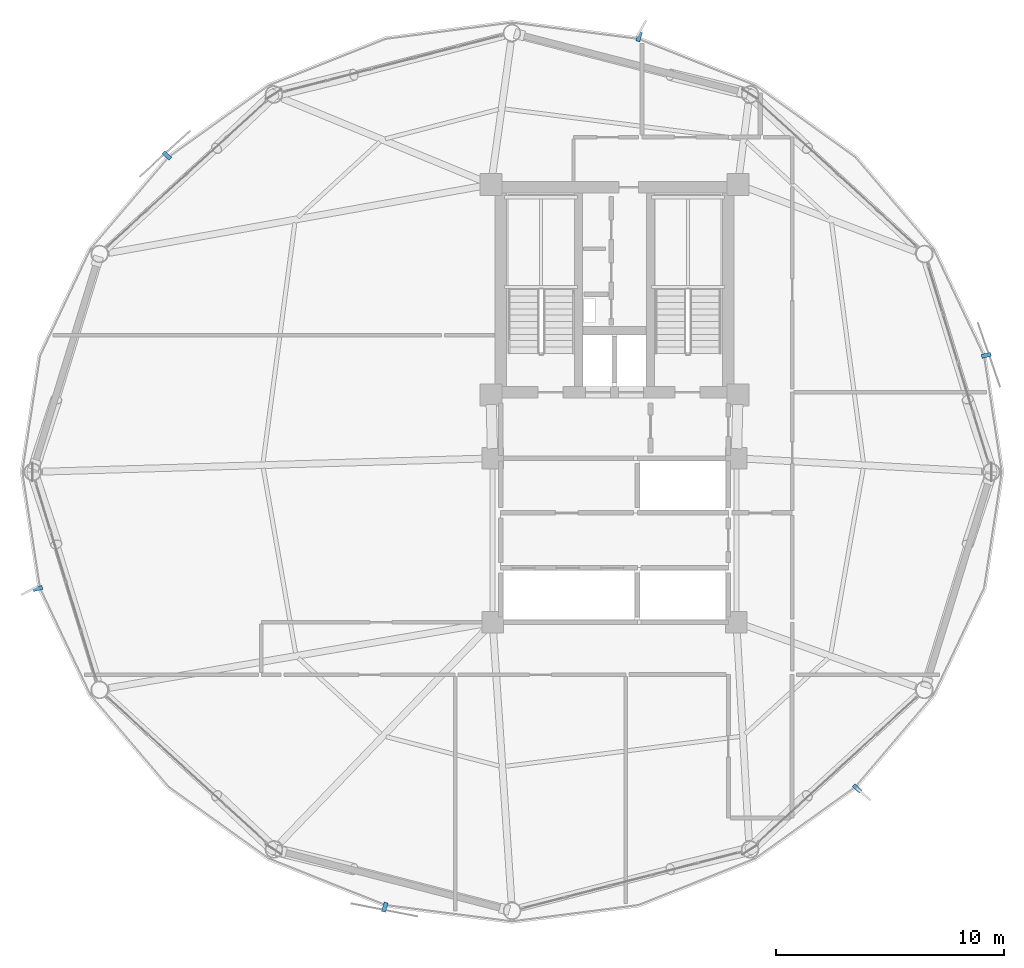
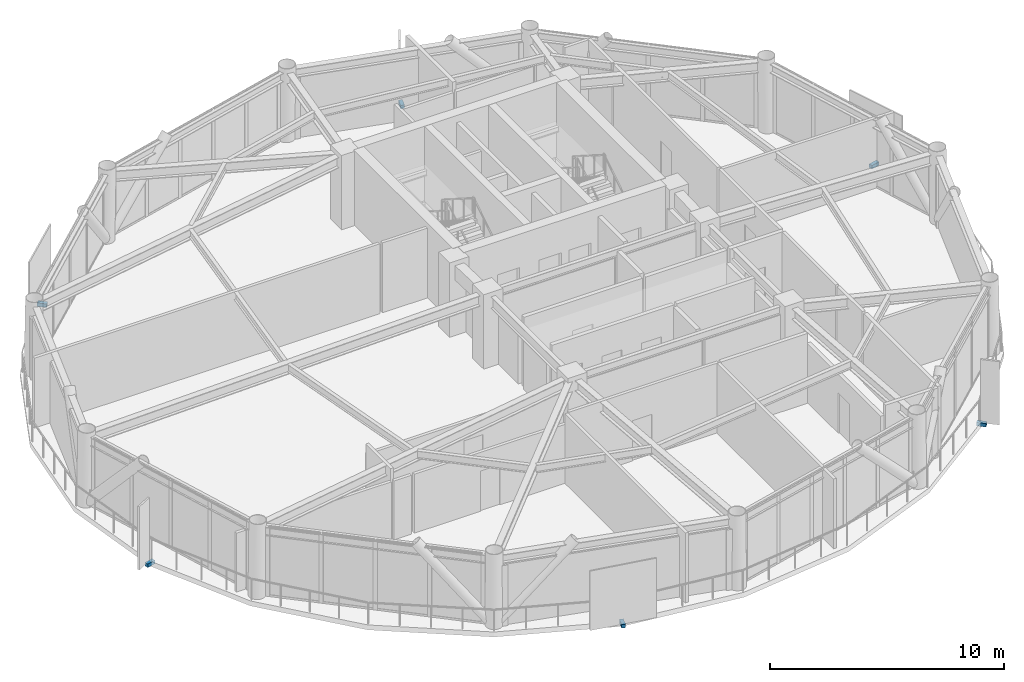
# One storey, part 24 of 27: 6 discrete accessories.
"""IFC4 building model written with IfcOpenShell, lengths in metres."""

import ifcopenshell
import ifcopenshell.guid

model = None  # the IFC model being written
_history = None  # IfcOwnerHistory: only IFC2X3 demands one
_inside = {}  # id of a spatial element -> (the spatial element, [elements in it])
_under = {}  # id of a project, library or spatial element -> (it, [spatial elements below it])
_declared = {}  # id of a project -> (the project, [libraries it declares])
_typed = {}  # id of a type object -> (the type object, [elements of that type])
_made_of = {}  # id of a material, layer set ... -> (it, [elements and type objects made of it])


def new_model(schema):
    """Start an empty IFC model of exactly this schema.

    Asked for "IFC4X3", IfcOpenShell would pick the latest addendum, in which some entities
    have other attributes; the version numbers below select the first issue.
    IFC2X3 requires an IfcOwnerHistory on every rooted entity: one is made here for all.
    """
    global model, _history
    if schema == "IFC4X3":
        model = ifcopenshell.file(schema_version=(4, 3, 0, 0))
    else:
        model = ifcopenshell.file(schema=schema)
    _inside.clear()
    _under.clear()
    _declared.clear()
    _typed.clear()
    _made_of.clear()
    _history = None
    if model.schema == "IFC2X3":
        org = make("IfcOrganization", Name="unknown")
        user = make(
            "IfcPersonAndOrganization",
            ThePerson=make("IfcPerson", FamilyName="unknown"),
            TheOrganization=org,
        )
        app = make(
            "IfcApplication",
            ApplicationDeveloper=org,
            Version="unknown",
            ApplicationFullName="unknown",
            ApplicationIdentifier="unknown",
        )
        _history = make(
            "IfcOwnerHistory",
            OwningUser=user,
            OwningApplication=app,
            ChangeAction="ADDED",
            CreationDate=0,
        )
    return model


def make(cls, **values):
    """One entity of the class cls with the attributes given. An attribute that is None is left unset."""
    return model.create_entity(
        cls, **{name: value for name, value in values.items() if value is not None}
    )


def rooted(cls, **values):
    """An entity with a GlobalId (a new one), such as an element, a storey or a relation."""
    return make(cls, GlobalId=ifcopenshell.guid.new(), OwnerHistory=_history, **values)


def si_unit(unit_type, name, prefix=None):
    """IfcSIUnit, for example si_unit("LENGTHUNIT", "METRE", prefix="MILLI")."""
    return make("IfcSIUnit", UnitType=unit_type, Prefix=prefix, Name=name)


def assignment(units):
    """IfcUnitAssignment: the units of a project."""
    return None if units is None else make("IfcUnitAssignment", Units=units)


def point(xyz):
    """IfcCartesianPoint."""
    return None if xyz is None else make("IfcCartesianPoint", Coordinates=xyz)


def direction(xyz):
    """IfcDirection."""
    return None if xyz is None else make("IfcDirection", DirectionRatios=xyz)


def frame(location, z_axis=None, x_axis=None):
    """IfcAxis2Placement3D, a coordinate frame: its origin and axes. An axis left out is left unset."""
    return make(
        "IfcAxis2Placement3D",
        Location=point(location),
        Axis=direction(z_axis),
        RefDirection=direction(x_axis),
    )


def frame_2d(location, x_axis=None):
    """IfcAxis2Placement2D, a coordinate frame in the plane: its origin and x axis."""
    return make(
        "IfcAxis2Placement2D", Location=point(location), RefDirection=direction(x_axis)
    )


def origin():
    """The frame at (0, 0, 0) with its axes left unset."""
    return frame((0.0, 0.0, 0.0))


def origin_2d():
    """The frame at (0, 0) in the plane with its x axis left unset."""
    return frame_2d((0.0, 0.0))


def place(relative_to, where):
    """IfcLocalPlacement: puts the frame where relative to a parent placement (None: the world)."""
    return make(
        "IfcLocalPlacement", PlacementRelTo=relative_to, RelativePlacement=where
    )


def context(
    kind, dimensions, precision=None, world=None, true_north=None, identifier=None
):
    """IfcGeometricRepresentationContext, for example the 3D "Model" context."""
    return make(
        "IfcGeometricRepresentationContext",
        ContextIdentifier=identifier,
        ContextType=kind,
        CoordinateSpaceDimension=dimensions,
        Precision=precision,
        WorldCoordinateSystem=world,
        TrueNorth=true_north,
    )


def subcontext(parent, identifier, kind, view, scale=None):
    """IfcGeometricRepresentationSubContext, for example "Body" below "Model"."""
    return make(
        "IfcGeometricRepresentationSubContext",
        ContextIdentifier=identifier,
        ContextType=kind,
        ParentContext=parent,
        TargetScale=scale,
        TargetView=view,
    )


def project(units=None, contexts=None):
    """IfcProject with its units and contexts."""
    return rooted(
        "IfcProject",
        Name="project",
        RepresentationContexts=contexts,
        UnitsInContext=assignment(units),
    )


def spatial(cls, under=None, at=None, **own):
    """A site, building, storey or space (cls), placed at a placement, below another one or the project."""
    s = rooted(cls, ObjectPlacement=at, **own)
    if under is not None:
        _under.setdefault(under.id(), (under, []))[1].append(s)
    return s


def profile(cls, at=None, kind="AREA", **sizes):
    """A parametric profile (cls). Its sizes go by their IFC names, for example OverallWidth=200.0."""
    return make(cls, ProfileType=kind, Position=at, **sizes)


def rectangle(**sizes):
    """IfcRectangleProfileDef."""
    return profile("IfcRectangleProfileDef", **sizes)


def extrude(swept, where, along, depth):
    """IfcExtrudedAreaSolid: the profile swept, set in the frame where, extruded along a direction by depth."""
    return make(
        "IfcExtrudedAreaSolid",
        SweptArea=swept,
        Position=where,
        ExtrudedDirection=direction(along),
        Depth=depth,
    )


def shape(context_of_items, identifier, shape_type, items):
    """IfcShapeRepresentation: the items that make up one representation, for example the "Body"."""
    return make(
        "IfcShapeRepresentation",
        ContextOfItems=context_of_items,
        RepresentationIdentifier=identifier,
        RepresentationType=shape_type,
        Items=items,
    )


def source(mapping_origin, context_of_items, identifier, shape_type, items):
    """IfcRepresentationMap: a shape defined once, which mapped items show again and again."""
    return make(
        "IfcRepresentationMap",
        MappingOrigin=mapping_origin,
        MappedRepresentation=shape(context_of_items, identifier, shape_type, items),
    )


def transform(
    local_origin,
    x_axis=None,
    y_axis=None,
    z_axis=None,
    scale=None,
    scale2=None,
    scale3=None,
    uniform=True,
):
    """IfcCartesianTransformationOperator3D, or its non-uniform kind. x_axis, y_axis, z_axis: its Axis1, 2, 3."""
    if uniform:
        return make(
            "IfcCartesianTransformationOperator3D",
            Axis1=direction(x_axis),
            Axis2=direction(y_axis),
            LocalOrigin=point(local_origin),
            Scale=scale,
            Axis3=direction(z_axis),
        )
    return make(
        "IfcCartesianTransformationOperator3DnonUniform",
        Axis1=direction(x_axis),
        Axis2=direction(y_axis),
        LocalOrigin=point(local_origin),
        Scale=scale,
        Axis3=direction(z_axis),
        Scale2=scale2,
        Scale3=scale3,
    )


def mapped(mapping_source, mapping_target):
    """IfcMappedItem: shows the shape of a source again, moved by a transform."""
    return make(
        "IfcMappedItem", MappingSource=mapping_source, MappingTarget=mapping_target
    )


def material(Name=None, Category=None):
    """IfcMaterial."""
    return make("IfcMaterial", Name=Name, Category=Category)


def made_of(thing, what):
    """Note that an element or type object is made of a material, layer set ...; save() writes the relation."""
    if what is not None:
        _made_of.setdefault(what.id(), (what, []))[1].append(thing)
    return thing


def type_object(cls, material=None, **own):
    """A type object (cls), such as IfcWallType, which elements share."""
    return made_of(rooted(cls, **own), material)


def type_shapes(of_type, sources):
    """Give a type object the sources (RepresentationMaps) that its elements show as mapped items."""
    of_type.RepresentationMaps = sources


def element(
    cls,
    number,
    at=None,
    inside=None,
    cuts=None,
    type_object=None,
    material=None,
    context=None,
    identifier="Body",
    shape_type=None,
    held_by="IfcProductDefinitionShape",
    body=None,
    shapes=None,
    **own,
):
    """One element of the class cls, such as IfcWall. Its Tag is "e" and its number.

    at: its placement. inside: the storey or other place that contains it. cuts: it is an
    opening in that element (IfcRelVoidsElement). A single representation is given by context,
    identifier, shape_type and body (its items); several are given by shapes. held_by: the class
    of the entity that holds the representations. save() writes the other relations.
    """
    e = rooted(cls, Tag="e%d" % number, ObjectPlacement=at, **own)
    if body is not None:
        shapes = [shape(context, identifier, shape_type, body)]
    if shapes is not None:
        e.Representation = make(held_by, Representations=shapes)
    if inside is not None:
        _inside.setdefault(inside.id(), (inside, []))[1].append(e)
    if cuts is not None:
        rooted(
            "IfcRelVoidsElement", RelatingBuildingElement=cuts, RelatedOpeningElement=e
        )
    if type_object is not None:
        _typed.setdefault(type_object.id(), (type_object, []))[1].append(e)
    return made_of(e, material)


def aggregate(whole, parts):
    """IfcRelAggregates: a whole, such as a stair, and the parts it consists of."""
    return rooted("IfcRelAggregates", RelatingObject=whole, RelatedObjects=parts)


def save(model, path):
    """Write the relations noted so far, then the file.

    IfcRelAggregates (storeys below a building ...), IfcRelContainedInSpatialStructure (elements
    in a storey), IfcRelDefinesByType, IfcRelAssociatesMaterial and IfcRelDeclares: one each for
    every whole, place, type object, material and project.
    """
    for whole, parts in _under.values():
        aggregate(whole, parts)
    for where, things in _inside.values():
        rooted(
            "IfcRelContainedInSpatialStructure",
            RelatedElements=things,
            RelatingStructure=where,
        )
    for kind, things in _typed.values():
        rooted("IfcRelDefinesByType", RelatedObjects=things, RelatingType=kind)
    for what, things in _made_of.values():
        rooted("IfcRelAssociatesMaterial", RelatedObjects=things, RelatingMaterial=what)
    for by, libraries in _declared.values():
        rooted("IfcRelDeclares", RelatingContext=by, RelatedDefinitions=libraries)
    model.write(path)


model = new_model("IFC4")

# Units and contexts
model_context = context("Model", 3, precision=1e-05, world=origin(), true_north=direction((0.0, 1.0)))
body_context = subcontext(model_context, "Body", "Model", "MODEL_VIEW")
ifc_project = project(units=[si_unit("LENGTHUNIT", "METRE"), si_unit("AREAUNIT", "SQUARE_METRE"), si_unit("VOLUMEUNIT", "CUBIC_METRE"), si_unit("PLANEANGLEUNIT", "RADIAN"), si_unit("MASSUNIT", "GRAM", prefix="KILO")], contexts=[model_context])

# Site, building, storey
site_placement = place(None, origin())
site = spatial("IfcSite", under=ifc_project, at=site_placement, CompositionType="ELEMENT")
building_placement = place(site_placement, origin())
building = spatial("IfcBuilding", under=site, at=building_placement, Name="Varnakorn Sky Granary", CompositionType="ELEMENT")
storey_placement = place(building_placement, frame((0.0, 0.0, 134.39990234375)))
storey = spatial("IfcBuildingStorey", under=building, at=storey_placement, Name="L33", CompositionType="ELEMENT", Elevation=134.39990234375)

# Discrete accessories
ifc_material = material(Name="Steel S355JR", Category="steel")
discrete_accessory_type = type_object("IfcDiscreteAccessoryType", Name="AC-BRK-01", PredefinedType="BRACKET", material=ifc_material)
shared_shape = source(origin(), body_context, "Body", "SweptSolid", [
    extrude(rectangle(XDim=0.179931640625, YDim=0.419921875, at=origin_2d()), origin(), (0.0, 0.0, 1.0), 0.179931640625),
])
type_shapes(discrete_accessory_type, [shared_shape])
for number, where, z_axis, x_axis, name in (
    (1, (19.321044921875, 5.117919921875, -0.19970703125), (0.0, 0.0, 1.0), (-0.238704304888, 0.97109229985, 0.0), "Facade Solar-Screen Outrigger Bracket L33-01"),
    (2, (4.081298828125, 19.109130859375, -0.19970703125), (0.0, 0.0, 1.0), (-0.959892840639, 0.280367142316, 0.0), "Facade Solar-Screen Outrigger Bracket L33-03"),
    (3, (-16.64990234375, 13.89013671875, -0.19970703125), (0.0, 0.0, 1.0), (-0.675799528957, -0.737085474461, 0.0), "Facade Solar-Screen Outrigger Bracket L33-05"),
    (4, (-22.321044921875, -5.117919921875, -0.19970703125), (0.0, 0.0, 1.0), (0.238704304888, -0.97109229985, 0.0), "Facade Solar-Screen Outrigger Bracket L33-07"),
    (5, (-7.081298828125, -19.109130859375, -0.19970703125), (0.0, 0.0, 1.0), (0.959892840639, -0.280367142316, 0.0), "Facade Solar-Screen Outrigger Bracket L33-09"),
    (6, (13.64990234375, -13.89013671875, -0.19970703125), (0.0, 0.0, 1.0), (0.675799528957, 0.737085474461, 0.0), "Facade Solar-Screen Outrigger Bracket L33-11"),
):
    element("IfcDiscreteAccessory", number, at=place(storey_placement, frame(where, z_axis=z_axis, x_axis=x_axis)), inside=storey, type_object=discrete_accessory_type, Name=name, PredefinedType="BRACKET", context=body_context, shape_type="MappedRepresentation", body=[
        mapped(shared_shape, transform((0.0, 0.0, 0.0), x_axis=(1.0, 0.0, 0.0), y_axis=(0.0, 1.0, 0.0), z_axis=(0.0, 0.0, 1.0), scale=1.0)),
    ])

save(model, "model.ifc")
